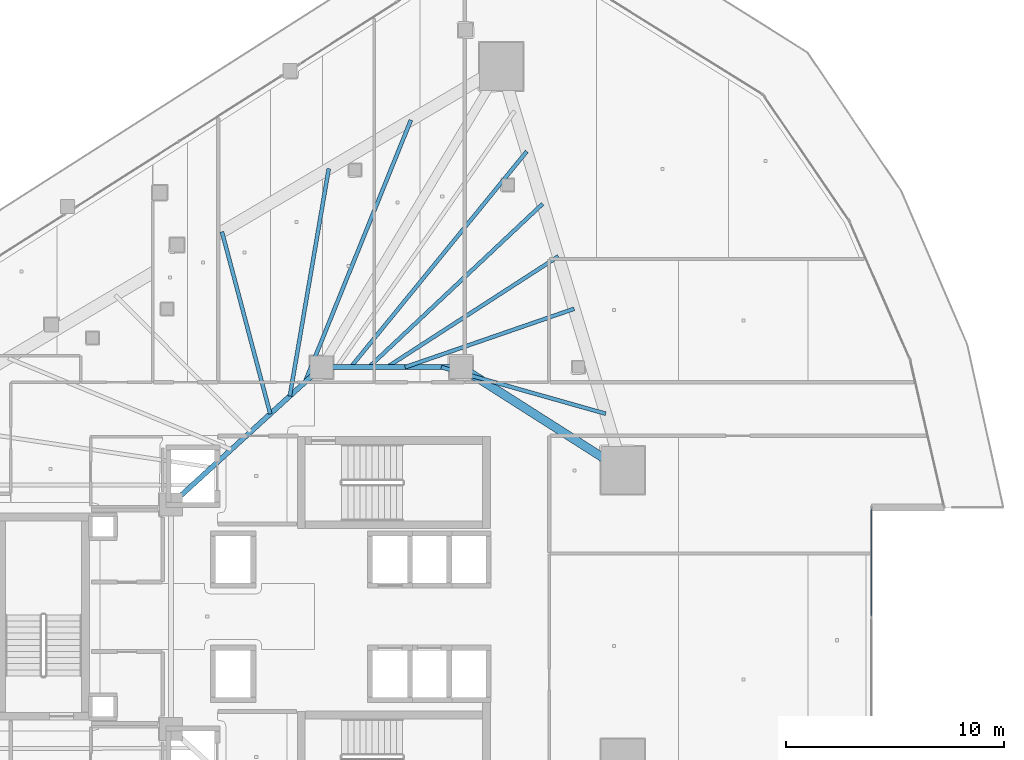
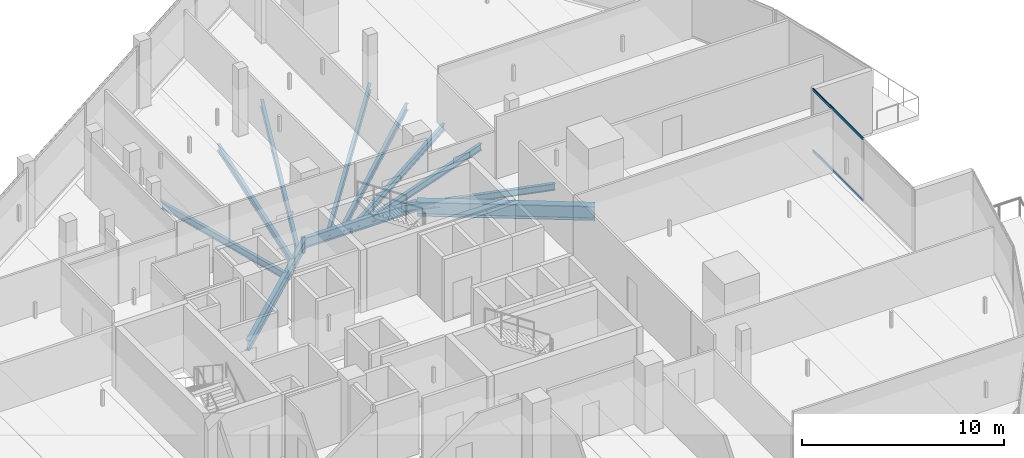
# One storey, part 19 of 45: 11 beams, 2 members, 1 element without a shape of its own.
"""IFC4 building model written with IfcOpenShell, lengths in metres."""

from ifc_helpers import new_model, si_unit, direction, frame, origin, origin_2d, place, context, subcontext, project, spatial, hollow_rectangle, i_section, extrude, material, layer, layer_set, material_profile, profile_set, type_object, element, aggregate, save


model = new_model("IFC4")

# Units and contexts
model_context = context("Model", 3, precision=1e-05, world=origin(), true_north=direction((0.0, 1.0)))
body_context = subcontext(model_context, "Body", "Model", "MODEL_VIEW")
ifc_project = project(units=[si_unit("LENGTHUNIT", "METRE"), si_unit("AREAUNIT", "SQUARE_METRE"), si_unit("VOLUMEUNIT", "CUBIC_METRE"), si_unit("PLANEANGLEUNIT", "RADIAN"), si_unit("MASSUNIT", "GRAM", prefix="KILO")], contexts=[model_context])

# Site, building, storey
site_placement = place(None, origin())
site = spatial("IfcSite", under=ifc_project, at=site_placement, CompositionType="ELEMENT")
building_placement = place(site_placement, origin())
building = spatial("IfcBuilding", under=site, at=building_placement, Name="Qorvath Tower", CompositionType="ELEMENT")
storey_placement = place(building_placement, frame((0.0, 0.0, 109.800048828125)))
storey = spatial("IfcBuildingStorey", under=building, at=storey_placement, Name="L24", CompositionType="ELEMENT", Elevation=109.800048828125)

# Beams
ifc_material_1 = material(Name="Steel ASTM A992 Grade 50", Category="steel")
ifc_material_profile_1 = material_profile(ifc_material_1, i_section(OverallWidth=0.39892578125, OverallDepth=0.85498046875, WebThickness=0.018310546875, FlangeThickness=0.029296875, FilletRadius=0.02001953125, at=origin_2d()), Name="W33x201")
ifc_profile_set_1 = profile_set([ifc_material_profile_1], Name="Steel ASTM A992 Grade 50")
beam_type_1 = type_object("IfcBeamType", Name="BM-FG2", PredefinedType="BEAM", material=ifc_profile_set_1)
beam_1_placement = place(storey_placement, frame((-17.199951171875, 11.449951171875, -0.70751953125), z_axis=(0.843634090834, -0.536918542037, 0.0), x_axis=(0.536918542037, 0.843634090834, 0.0)))
element("IfcBeam", 1, at=beam_1_placement, inside=storey, type_object=beam_type_1, Name="Radial Floor Girder CC2-MC5 L24", PredefinedType="BEAM", context=body_context, shape_type="SweptSolid", body=[
    extrude(i_section(OverallWidth=0.39892578125, OverallDepth=0.85498046875, WebThickness=0.018310546875, FlangeThickness=0.029296875, FilletRadius=0.02001953125, at=origin_2d()), origin(), (0.0, 0.0, 1.0), 8.806884765625),
])
ifc_material_2 = material(Name="Steel ASTM A992 Grade 50", Category="steel")
ifc_material_profile_2 = material_profile(ifc_material_2, i_section(OverallWidth=0.22998046875, OverallDepth=0.616943359375, WebThickness=0.01318359375, FlangeThickness=0.022216796875, FilletRadius=0.014892578125, at=origin_2d()), Name="W24x94")
ifc_profile_set_2 = profile_set([ifc_material_profile_2], Name="Steel ASTM A992 Grade 50")
beam_type_2 = type_object("IfcBeamType", Name="BM-FG6", PredefinedType="BEAM", material=ifc_profile_set_2)
beam_2_placement = place(storey_placement, frame((-23.60009765625, 11.449951171875, -0.588623046875), z_axis=(1.0, 0.0, 0.0), x_axis=(0.0, 1.0, 0.0)))
element("IfcBeam", 2, at=beam_2_placement, inside=storey, type_object=beam_type_2, Name="Core Ring Girder CC1-CC2 L24", PredefinedType="BEAM", context=body_context, shape_type="SweptSolid", body=[
    extrude(i_section(OverallWidth=0.22998046875, OverallDepth=0.616943359375, WebThickness=0.01318359375, FlangeThickness=0.022216796875, FilletRadius=0.014892578125, at=origin_2d()), origin(), (0.0, 0.0, 1.0), 6.400146484375),
])
beam_3_placement = place(storey_placement, frame((-30.5, 5.14990234375, -0.588623046875), z_axis=(0.73847813985, 0.6742774184, 0.0), x_axis=(-0.6742774184, 0.73847813985, 0.0)))
element("IfcBeam", 3, at=beam_3_placement, inside=storey, type_object=beam_type_2, Name="Core Ring Girder CC5-CC1 L24", PredefinedType="BEAM", context=body_context, shape_type="SweptSolid", body=[
    extrude(i_section(OverallWidth=0.22998046875, OverallDepth=0.616943359375, WebThickness=0.01318359375, FlangeThickness=0.022216796875, FilletRadius=0.014892578125, at=origin_2d()), origin(), (0.0, 0.0, 1.0), 9.343505859375),
])
ifc_material_3 = material(Name="Steel ASTM A992 Grade 50", Category="steel")
ifc_material_profile_3 = material_profile(ifc_material_3, i_section(OverallWidth=0.177978515625, OverallDepth=0.406005859375, WebThickness=0.0078125, FlangeThickness=0.0126953125, FilletRadius=0.010986328125, at=origin_2d()), Name="W16x40")
ifc_profile_set_3 = profile_set([ifc_material_profile_3], Name="Steel ASTM A992 Grade 50")
beam_type_3 = type_object("IfcBeamType", Name="BM-FJ3", PredefinedType="JOIST", material=ifc_profile_set_3)
beam_4_placement = place(storey_placement, frame((-18.095947265625, 11.449951171875, -0.483154296875), z_axis=(0.962222206221, -0.272265359264, 0.0), x_axis=(0.272265359264, 0.962222206221, 0.0)))
element("IfcBeam", 4, at=beam_4_placement, inside=storey, type_object=beam_type_3, Name="Composite Floor Joist NE1 L24", PredefinedType="JOIST", context=body_context, shape_type="SweptSolid", body=[
    extrude(i_section(OverallWidth=0.177978515625, OverallDepth=0.406005859375, WebThickness=0.0078125, FlangeThickness=0.0126953125, FilletRadius=0.010986328125, at=origin_2d()), origin(), (0.0, 0.0, 1.0), 7.841552734375),
])
beam_5_placement = place(storey_placement, frame((-19.760009765625, 11.449951171875, -0.483154296875), z_axis=(0.945168345309, 0.326583525342, 0.0), x_axis=(-0.326583525342, 0.945168345309, 0.0)))
element("IfcBeam", 5, at=beam_5_placement, inside=storey, type_object=beam_type_3, Name="Composite Floor Joist NE3 L24", PredefinedType="JOIST", context=body_context, shape_type="SweptSolid", body=[
    extrude(i_section(OverallWidth=0.177978515625, OverallDepth=0.406005859375, WebThickness=0.0078125, FlangeThickness=0.0126953125, FilletRadius=0.010986328125, at=origin_2d()), origin(), (0.0, 0.0, 1.0), 8.21044921875),
])
beam_6_placement = place(storey_placement, frame((-20.592041015625, 11.449951171875, -0.483154296875), z_axis=(0.839630966809, 0.543157288062, 0.0), x_axis=(-0.543157288062, 0.839630966809, 0.0)))
element("IfcBeam", 6, at=beam_6_placement, inside=storey, type_object=beam_type_3, Name="Composite Floor Joist NE4 L24", PredefinedType="JOIST", context=body_context, shape_type="SweptSolid", body=[
    extrude(i_section(OverallWidth=0.177978515625, OverallDepth=0.406005859375, WebThickness=0.0078125, FlangeThickness=0.0126953125, FilletRadius=0.010986328125, at=origin_2d()), origin(), (0.0, 0.0, 1.0), 9.370361328125),
])
beam_7_placement = place(storey_placement, frame((-21.424072265625, 11.449951171875, -0.483154296875), z_axis=(0.728572459091, 0.684968737866, 0.0), x_axis=(-0.684968737866, 0.728572459091, 0.0)))
element("IfcBeam", 7, at=beam_7_placement, inside=storey, type_object=beam_type_3, Name="Composite Floor Joist NE5 L24", PredefinedType="JOIST", context=body_context, shape_type="SweptSolid", body=[
    extrude(i_section(OverallWidth=0.177978515625, OverallDepth=0.406005859375, WebThickness=0.0078125, FlangeThickness=0.0126953125, FilletRadius=0.010986328125, at=origin_2d()), origin(), (0.0, 0.0, 1.0), 10.9462890625),
])
beam_8_placement = place(storey_placement, frame((-22.256103515625, 11.449951171875, -0.483154296875), z_axis=(0.632187975212, 0.774815051478, 0.0), x_axis=(-0.774815051478, 0.632187975212, 0.0)))
element("IfcBeam", 8, at=beam_8_placement, inside=storey, type_object=beam_type_3, Name="Composite Floor Joist NE6 L24", PredefinedType="JOIST", context=body_context, shape_type="SweptSolid", body=[
    extrude(i_section(OverallWidth=0.177978515625, OverallDepth=0.406005859375, WebThickness=0.0078125, FlangeThickness=0.0126953125, FilletRadius=0.010986328125, at=origin_2d()), origin(), (0.0, 0.0, 1.0), 12.784912109375),
])
beam_9_placement = place(storey_placement, frame((-25.946044921875, 9.30810546875, -0.483154296875), z_axis=(-0.256507909517, 0.966542131702, 0.0), x_axis=(-0.966542131702, -0.256507909517, 0.0)))
element("IfcBeam", 9, at=beam_9_placement, inside=storey, type_object=beam_type_3, Name="Composite Floor Joist NW5 L24", PredefinedType="JOIST", context=body_context, shape_type="SweptSolid", body=[
    extrude(i_section(OverallWidth=0.177978515625, OverallDepth=0.406005859375, WebThickness=0.0078125, FlangeThickness=0.0126953125, FilletRadius=0.010986328125, at=origin_2d()), origin(), (0.0, 0.0, 1.0), 8.64697265625),
])
beam_10_placement = place(storey_placement, frame((-25.049072265625, 10.126953125, -0.483154296875), z_axis=(0.168745594245, 0.985659639238, 0.0), x_axis=(-0.985659639238, 0.168745594245, 0.0)))
element("IfcBeam", 10, at=beam_10_placement, inside=storey, type_object=beam_type_3, Name="Composite Floor Joist NW6 L24", PredefinedType="JOIST", context=body_context, shape_type="SweptSolid", body=[
    extrude(i_section(OverallWidth=0.177978515625, OverallDepth=0.406005859375, WebThickness=0.0078125, FlangeThickness=0.0126953125, FilletRadius=0.010986328125, at=origin_2d()), origin(), (0.0, 0.0, 1.0), 10.589111328125),
])
beam_11_placement = place(storey_placement, frame((-24.35888671875, 10.757080078125, -0.483154296875), z_axis=(0.37487652097, 0.927074751045, 0.0), x_axis=(-0.927074751045, 0.37487652097, 0.0)))
element("IfcBeam", 11, at=beam_11_placement, inside=storey, type_object=beam_type_3, Name="Composite Floor Joist NW7 L24", PredefinedType="JOIST", context=body_context, shape_type="SweptSolid", body=[
    extrude(i_section(OverallWidth=0.177978515625, OverallDepth=0.406005859375, WebThickness=0.0078125, FlangeThickness=0.0126953125, FilletRadius=0.010986328125, at=origin_2d()), origin(), (0.0, 0.0, 1.0), 12.9833984375),
])

# Curtain wall, members
ifc_material_4 = material(Name="Anodised aluminium and triple low-E glass", Category="aluminium")
ifc_layer = layer(ifc_material_4, 0.179931640625)
ifc_layer_set = layer_set([ifc_layer], Name="CW-SYS-2")
curtain_wall_type = type_object("IfcCurtainWallType", Name="CW-SYS-2", PredefinedType="NOTDEFINED", material=ifc_layer_set)
curtain_wall_placement = place(storey_placement, origin())
curtain_wall = element("IfcCurtainWall", 12, at=curtain_wall_placement, inside=storey, type_object=curtain_wall_type, Name="Curtain Wall CW-2 CW-T-L24-9.1", PredefinedType="NOTDEFINED")
ifc_material_5 = material(Name="Anodised aluminium 6063-T6", Category="aluminium")
ifc_material_profile_4 = material_profile(ifc_material_5, hollow_rectangle(XDim=0.06494140625, YDim=0.159912109375, WallThickness=0.00341796875, InnerFilletRadius=0.00341796875, OuterFilletRadius=0.007080078125, at=origin_2d()), Name="CWT 160x65")
ifc_profile_set_4 = profile_set([ifc_material_profile_4], Name="Anodised aluminium 6063-T6")
member_type = type_object("IfcMemberType", Name="CWT-160", PredefinedType="USERDEFINED", material=ifc_profile_set_4)
member_1_placement = place(storey_placement, frame((1.648681640625, 0.032470703125, 0.032470703125), z_axis=(0.0, 1.0, 0.0), x_axis=(-1.0, 0.0, 0.0)))
member_1 = element("IfcMember", 13, at=member_1_placement, type_object=member_type, Name="CW-2 transom 2.1", ObjectType="TRANSOM", PredefinedType="USERDEFINED", context=body_context, shape_type="SweptSolid", body=[
    extrude(hollow_rectangle(XDim=0.06494140625, YDim=0.159912109375, WallThickness=0.00341796875, InnerFilletRadius=0.00341796875, OuterFilletRadius=0.007080078125, at=origin_2d()), origin(), (0.0, 0.0, 1.0), 4.913818359375),
])
member_2_placement = place(storey_placement, frame((1.648681640625, 0.032470703125, 3.737548828125), z_axis=(0.0, 1.0, 0.0), x_axis=(-1.0, 0.0, 0.0)))
member_2 = element("IfcMember", 14, at=member_2_placement, type_object=member_type, Name="CW-2 transom 2.2", ObjectType="TRANSOM", PredefinedType="USERDEFINED", context=body_context, shape_type="SweptSolid", body=[
    extrude(hollow_rectangle(XDim=0.06494140625, YDim=0.159912109375, WallThickness=0.00341796875, InnerFilletRadius=0.00341796875, OuterFilletRadius=0.007080078125, at=origin_2d()), origin(), (0.0, 0.0, 1.0), 4.913818359375),
])
aggregate(curtain_wall, [member_1, member_2])

save(model, "model.ifc")
